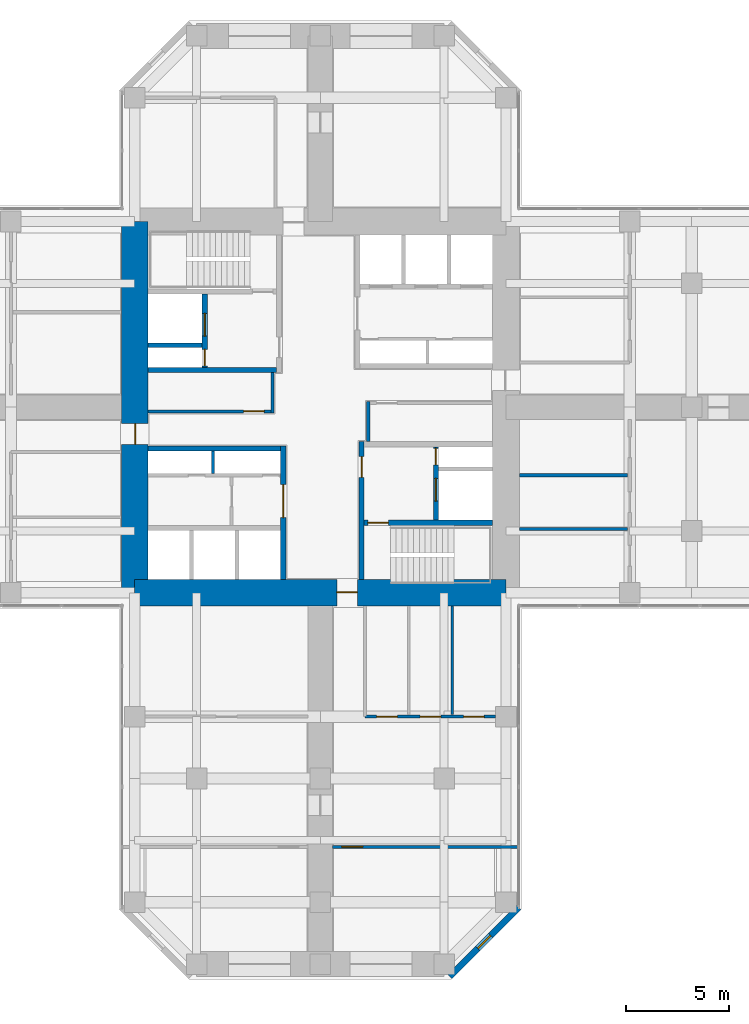
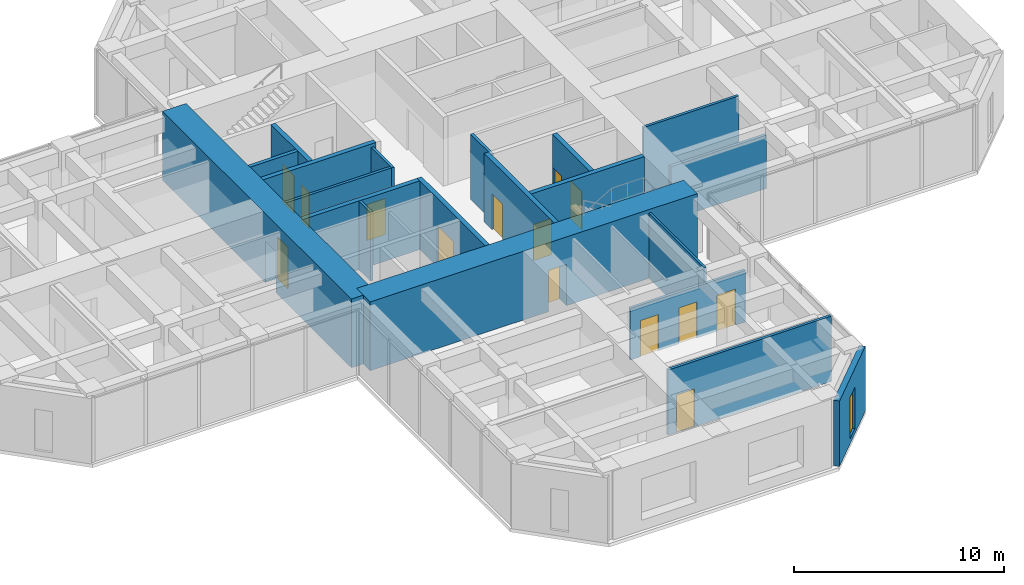
# One storey, part 9 of 13: 20 walls, 14 doors, 1 window, 15 openings.
"""IFC4 building model written with IfcOpenShell, lengths in metres."""

from ifc_helpers import new_model, si_unit, direction, frame, frame_2d, origin, place, context, subcontext, project, spatial, rectangle, hollow_rectangle, extrude, material, layer, layer_set, constituent, constituent_set, type_object, element, fill, save


model = new_model("IFC4")

# Units and contexts
model_context = context("Model", 3, precision=1e-05, world=origin(), true_north=direction((0.0, 1.0)))
body_context = subcontext(model_context, "Body", "Model", "MODEL_VIEW")
ifc_project = project(units=[si_unit("LENGTHUNIT", "METRE"), si_unit("AREAUNIT", "SQUARE_METRE"), si_unit("VOLUMEUNIT", "CUBIC_METRE"), si_unit("PLANEANGLEUNIT", "RADIAN"), si_unit("MASSUNIT", "GRAM", prefix="KILO")], contexts=[model_context])

# Site, building, storey
site_placement = place(None, origin())
site = spatial("IfcSite", under=ifc_project, at=site_placement, CompositionType="ELEMENT")
building_placement = place(site_placement, origin())
building = spatial("IfcBuilding", under=site, at=building_placement, Name="Torre Cruceta", CompositionType="ELEMENT")
storey_placement = place(building_placement, frame((0.0, 0.0, 128.5)))
storey = spatial("IfcBuildingStorey", under=building, at=storey_placement, Name="L31", CompositionType="ELEMENT", Elevation=128.5)

# Wall
ifc_material_1 = material(Name="Concrete G60 (fck 60 MPa)", Category="concrete")
ifc_layer_1 = layer(ifc_material_1, 0.25)
ifc_layer_set_1 = layer_set([ifc_layer_1], Name="Concrete G60 (fck 60 MPa)")
wall_type_1 = type_object("IfcWallType", Name="CORE INNER WALL 250 G60", PredefinedType="SHEAR", material=ifc_layer_set_1)
wall_1_placement = place(storey_placement, frame((-2.125, 1.800048828125, 0.0), z_axis=(0.0, 0.0, 1.0), x_axis=(-1.0, 0.0, 0.0)))
element("IfcWall", 1, at=wall_1_placement, inside=storey, type_object=wall_type_1, Name="CW4 L31 NW-CV", PredefinedType="SHEAR", context=body_context, shape_type="SweptSolid", body=[
    extrude(rectangle(XDim=6.22509765625, YDim=0.25, at=frame_2d((3.112548828125, 0.0))), origin(), (0.0, 0.0, 1.0), 4.0),
])

# Wall, openings, doors
wall_2_placement = place(storey_placement, frame((-5.60009765625, 1.925048828125, 0.0), z_axis=(0.0, 0.0, 1.0), x_axis=(0.0, 1.0, 0.0)))
wall_2 = element("IfcWall", 2, at=wall_2_placement, inside=storey, type_object=wall_type_1, Name="CW4 L31 NW-FU", PredefinedType="SHEAR", context=body_context, shape_type="SweptSolid", body=[
    extrude(rectangle(XDim=3.550048828125, YDim=0.25, at=frame_2d((1.77490234375, 0.0))), origin(), (0.0, 0.0, 1.0), 4.0),
])
opening_1_placement = place(wall_2_placement, frame((1.52490234375, 0.0, 0.0)))
opening_1 = element("IfcOpeningElement", 3, at=opening_1_placement, cuts=wall_2, Name="Opening LD1", PredefinedType="OPENING", context=body_context, shape_type="SweptSolid", body=[
    extrude(rectangle(XDim=1.10009765625, YDim=2.199951171875, at=frame_2d((0.550048828125, 1.10009765625))), frame((0.0, 0.135009765625, 0.0), z_axis=(0.0, -1.0, 0.0), x_axis=(1.0, 0.0, 0.0)), (0.0, 0.0, 1.0), 0.27001953125),
])
opening_2_placement = place(wall_2_placement, frame((0.074951171875, 0.0, 0.0)))
opening_2 = element("IfcOpeningElement", 4, at=opening_2_placement, cuts=wall_2, Name="Opening D5", PredefinedType="OPENING", context=body_context, shape_type="SweptSolid", body=[
    extrude(rectangle(XDim=0.800048828125, YDim=2.10009765625, at=frame_2d((0.39990234375, 1.050048828125))), frame((0.0, 0.135009765625, 0.0), z_axis=(0.0, -1.0, 0.0), x_axis=(1.0, 0.0, 0.0)), (0.0, 0.0, 1.0), 0.27001953125),
])
ifc_material_2 = material(Name="Stainless steel 1.4401", Category="steel")
door_type_1 = type_object("IfcDoorType", Name="LIFT LANDING DOOR 1100X2200", OperationType="DOUBLE_DOOR_SLIDING", PredefinedType="DOOR", material=ifc_material_2)
door_1_placement = place(opening_1_placement, origin())
door_1 = element("IfcDoor", 5, at=door_1_placement, inside=storey, type_object=door_type_1, Name="Lift landing door FL1", OperationType="DOUBLE_DOOR_SLIDING", OverallHeight=2.199951171875, OverallWidth=1.10009765625, PredefinedType="DOOR", context=body_context, shape_type="SweptSolid", body=[
    extrude(rectangle(XDim=1.10009765625, YDim=2.199951171875, at=frame_2d((0.550048828125, 1.10009765625))), frame((0.0, 0.02490234375, 0.0), z_axis=(0.0, -1.0, 0.0), x_axis=(1.0, 0.0, 0.0)), (0.0, 0.0, 1.0), 0.050048828125),
])
fill(opening_1, door_1)
ifc_material_3 = material(Name="Steel DX51D", Category="steel")
ifc_constituent_1 = constituent(ifc_material_3, Name="Leaf and frame")
ifc_material_4 = material(Name="Polyester powder coating", Category="paint")
ifc_constituent_2 = constituent(ifc_material_4, Name="Finish")
ifc_constituent_set_1 = constituent_set(constituents=[ifc_constituent_1, ifc_constituent_2], Name="Steel fire door")
door_type_2 = type_object("IfcDoorType", Name="RISER ACCESS DOOR 800X2100", OperationType="SINGLE_SWING_LEFT", PredefinedType="DOOR", material=ifc_constituent_set_1)
door_2_placement = place(opening_2_placement, origin())
door_2 = element("IfcDoor", 6, at=door_2_placement, inside=storey, type_object=door_type_2, Name="D5 L31 NW-RISER", OperationType="SINGLE_SWING_LEFT", OverallHeight=2.10009765625, OverallWidth=0.800048828125, PredefinedType="DOOR", context=body_context, shape_type="SweptSolid", body=[
    extrude(rectangle(XDim=0.800048828125, YDim=2.10009765625, at=frame_2d((0.39990234375, 1.050048828125))), frame((0.0, 0.02490234375, 0.0), z_axis=(0.0, -1.0, 0.0), x_axis=(1.0, 0.0, 0.0)), (0.0, 0.0, 1.0), 0.050048828125),
])
fill(opening_2, door_2)

# Wall, opening, door
wall_3_placement = place(storey_placement, frame((-1.800048828125, -1.875, 0.0), z_axis=(0.0, 0.0, 1.0), x_axis=(0.0, -1.0, 0.0)))
wall_3 = element("IfcWall", 7, at=wall_3_placement, inside=storey, type_object=wall_type_1, Name="CW4 L31 SW-CU", PredefinedType="SHEAR", context=body_context, shape_type="SweptSolid", body=[
    extrude(rectangle(XDim=6.47509765625, YDim=0.25, at=frame_2d((3.237548828125, 0.0))), origin(), (0.0, 0.0, 1.0), 4.0),
])
opening_3_placement = place(wall_3_placement, frame((1.875, 0.0, 0.0)))
opening_3 = element("IfcOpeningElement", 8, at=opening_3_placement, cuts=wall_3, Name="Opening D15", PredefinedType="OPENING", context=body_context, shape_type="SweptSolid", body=[
    extrude(rectangle(XDim=1.60009765625, YDim=2.39990234375, at=frame_2d((0.800048828125, 1.199951171875))), frame((0.0, 0.135009765625, 0.0), z_axis=(0.0, -1.0, 0.0), x_axis=(1.0, 0.0, 0.0)), (0.0, 0.0, 1.0), 0.27001953125),
])
ifc_material_5 = material(Name="Steel DX51D", Category="steel")
ifc_constituent_3 = constituent(ifc_material_5, Name="Leaf and frame")
ifc_material_6 = material(Name="Polyester powder coating", Category="paint")
ifc_constituent_4 = constituent(ifc_material_6, Name="Finish")
ifc_constituent_set_2 = constituent_set(constituents=[ifc_constituent_3, ifc_constituent_4], Name="Steel fire door")
door_type_3 = type_object("IfcDoorType", Name="CORE ROOM DOUBLE DOOR 1600X2400", OperationType="DOUBLE_DOOR_SINGLE_SWING", PredefinedType="DOOR", material=ifc_constituent_set_2)
door_3_placement = place(opening_3_placement, frame((1.60009765625, 0.0, 0.0), z_axis=(0.0, 0.0, 1.0), x_axis=(-1.0, 0.0, 0.0)))
door_3 = element("IfcDoor", 9, at=door_3_placement, inside=storey, type_object=door_type_3, Name="D15 L31 SW-LOBBY", OperationType="DOUBLE_DOOR_SINGLE_SWING", OverallHeight=2.39990234375, OverallWidth=1.60009765625, PredefinedType="DOOR", context=body_context, shape_type="SweptSolid", body=[
    extrude(rectangle(XDim=1.60009765625, YDim=2.39990234375, at=frame_2d((0.800048828125, 1.199951171875))), frame((0.0, 0.025146484375, 0.0), z_axis=(0.0, -1.0, 0.0), x_axis=(1.0, 0.0, 0.0)), (0.0, 0.0, 1.0), 0.050048828125),
])
fill(opening_3, door_3)

# Wall
wall_4_placement = place(storey_placement, frame((-1.925048828125, -2.0, 0.0), z_axis=(0.0, 0.0, 1.0), x_axis=(-1.0, 0.0, 0.0)))
element("IfcWall", 10, at=wall_4_placement, inside=storey, type_object=wall_type_1, Name="CW4 L31 SW-CV", PredefinedType="SHEAR", context=body_context, shape_type="SweptSolid", body=[
    extrude(rectangle(XDim=6.425048828125, YDim=0.25, at=frame_2d((3.21240234375, 0.0))), origin(), (0.0, 0.0, 1.0), 4.0),
])

# Wall, opening, door
wall_5_placement = place(storey_placement, frame((2.0, -1.675048828125, 0.0), z_axis=(0.0, 0.0, 1.0), x_axis=(0.0, -1.0, 0.0)))
wall_5 = element("IfcWall", 11, at=wall_5_placement, inside=storey, type_object=wall_type_1, Name="CW4 L31 SE-CU", PredefinedType="SHEAR", context=body_context, shape_type="SweptSolid", body=[
    extrude(rectangle(XDim=6.675048828125, YDim=0.25, at=frame_2d((3.33740234375, 0.0))), origin(), (0.0, 0.0, 1.0), 4.0),
])
opening_4_placement = place(wall_5_placement, frame((0.72509765625, 0.0, 0.0)))
opening_4 = element("IfcOpeningElement", 12, at=opening_4_placement, cuts=wall_5, Name="Opening D3", PredefinedType="OPENING", context=body_context, shape_type="SweptSolid", body=[
    extrude(rectangle(XDim=1.0, YDim=2.10009765625, at=frame_2d((0.5, 1.050048828125))), frame((0.0, 0.135009765625, 0.0), z_axis=(0.0, -1.0, 0.0), x_axis=(1.0, 0.0, 0.0)), (0.0, 0.0, 1.0), 0.27001953125),
])
ifc_material_7 = material(Name="Steel DX51D", Category="steel")
ifc_constituent_5 = constituent(ifc_material_7, Name="Leaf and frame")
ifc_material_8 = material(Name="Polyester powder coating", Category="paint")
ifc_constituent_6 = constituent(ifc_material_8, Name="Finish")
ifc_constituent_set_3 = constituent_set(constituents=[ifc_constituent_5, ifc_constituent_6], Name="Steel fire door")
door_type_4 = type_object("IfcDoorType", Name="FIRE DOOR 1000X2100", OperationType="SINGLE_SWING_LEFT", PredefinedType="DOOR", material=ifc_constituent_set_3)
door_4_placement = place(opening_4_placement, origin())
door_4 = element("IfcDoor", 13, at=door_4_placement, inside=storey, type_object=door_type_4, Name="D3 L31 SE-LOBBY", OperationType="SINGLE_SWING_LEFT", OverallHeight=2.10009765625, OverallWidth=1.0, PredefinedType="DOOR", context=body_context, shape_type="SweptSolid", body=[
    extrude(rectangle(XDim=1.0, YDim=2.10009765625, at=frame_2d((0.5, 1.050048828125))), frame((0.0, 0.02490234375, 0.0), z_axis=(0.0, -1.0, 0.0), x_axis=(1.0, 0.0, 0.0)), (0.0, 0.0, 1.0), 0.050048828125),
])
fill(opening_4, door_4)

wall_6_placement = place(storey_placement, frame((2.125, -5.60009765625, 0.0), z_axis=(0.0, 0.0, 1.0), x_axis=(1.0, 0.0, 0.0)))
wall_6 = element("IfcWall", 14, at=wall_6_placement, inside=storey, type_object=wall_type_1, Name="CW4 L31 SE-SV", PredefinedType="SHEAR", context=body_context, shape_type="SweptSolid", body=[
    extrude(rectangle(XDim=6.22509765625, YDim=0.25, at=frame_2d((3.112548828125, 0.0))), origin(), (0.0, 0.0, 1.0), 4.0),
])
opening_5_placement = place(wall_6_placement, frame((0.175048828125, 0.0, 0.0)))
opening_5 = element("IfcOpeningElement", 15, at=opening_5_placement, cuts=wall_6, Name="Opening D3", PredefinedType="OPENING", context=body_context, shape_type="SweptSolid", body=[
    extrude(rectangle(XDim=1.0, YDim=2.10009765625, at=frame_2d((0.5, 1.050048828125))), frame((0.0, 0.135009765625, 0.0), z_axis=(0.0, -1.0, 0.0), x_axis=(1.0, 0.0, 0.0)), (0.0, 0.0, 1.0), 0.27001953125),
])
door_5_placement = place(opening_5_placement, frame((1.0, 0.0, 0.0), z_axis=(0.0, 0.0, 1.0), x_axis=(-1.0, 0.0, 0.0)))
door_5 = element("IfcDoor", 16, at=door_5_placement, inside=storey, type_object=door_type_4, Name="D3 L31 SE-STAIR", OperationType="SINGLE_SWING_RIGHT", OverallHeight=2.10009765625, OverallWidth=1.0, PredefinedType="DOOR", context=body_context, shape_type="SweptSolid", body=[
    extrude(rectangle(XDim=1.0, YDim=2.10009765625, at=frame_2d((0.5, 1.050048828125))), frame((0.0, 0.025146484375, 0.0), z_axis=(0.0, -1.0, 0.0), x_axis=(1.0, 0.0, 0.0)), (0.0, 0.0, 1.0), 0.050048828125),
])
fill(opening_5, door_5)

# Wall, openings, doors
wall_7_placement = place(storey_placement, frame((5.60009765625, -1.925048828125, 0.0), z_axis=(0.0, 0.0, 1.0), x_axis=(0.0, -1.0, 0.0)))
wall_7 = element("IfcWall", 17, at=wall_7_placement, inside=storey, type_object=wall_type_1, Name="CW4 L31 SE-FU", PredefinedType="SHEAR", context=body_context, shape_type="SweptSolid", body=[
    extrude(rectangle(XDim=3.550048828125, YDim=0.25, at=frame_2d((1.77490234375, 0.0))), origin(), (0.0, 0.0, 1.0), 4.0),
])
opening_6_placement = place(wall_7_placement, frame((1.52490234375, 0.0, 0.0)))
opening_6 = element("IfcOpeningElement", 18, at=opening_6_placement, cuts=wall_7, Name="Opening LD1", PredefinedType="OPENING", context=body_context, shape_type="SweptSolid", body=[
    extrude(rectangle(XDim=1.10009765625, YDim=2.199951171875, at=frame_2d((0.550048828125, 1.10009765625))), frame((0.0, 0.135009765625, 0.0), z_axis=(0.0, -1.0, 0.0), x_axis=(1.0, 0.0, 0.0)), (0.0, 0.0, 1.0), 0.27001953125),
])
opening_7_placement = place(wall_7_placement, frame((0.074951171875, 0.0, 0.0)))
opening_7 = element("IfcOpeningElement", 19, at=opening_7_placement, cuts=wall_7, Name="Opening D5", PredefinedType="OPENING", context=body_context, shape_type="SweptSolid", body=[
    extrude(rectangle(XDim=0.800048828125, YDim=2.10009765625, at=frame_2d((0.39990234375, 1.050048828125))), frame((0.0, 0.135009765625, 0.0), z_axis=(0.0, -1.0, 0.0), x_axis=(1.0, 0.0, 0.0)), (0.0, 0.0, 1.0), 0.27001953125),
])
door_6_placement = place(opening_6_placement, origin())
door_6 = element("IfcDoor", 20, at=door_6_placement, inside=storey, type_object=door_type_1, Name="Lift landing door FL2", OperationType="DOUBLE_DOOR_SLIDING", OverallHeight=2.199951171875, OverallWidth=1.10009765625, PredefinedType="DOOR", context=body_context, shape_type="SweptSolid", body=[
    extrude(rectangle(XDim=1.10009765625, YDim=2.199951171875, at=frame_2d((0.550048828125, 1.10009765625))), frame((0.0, 0.02490234375, 0.0), z_axis=(0.0, -1.0, 0.0), x_axis=(1.0, 0.0, 0.0)), (0.0, 0.0, 1.0), 0.050048828125),
])
fill(opening_6, door_6)
door_7_placement = place(opening_7_placement, origin())
door_7 = element("IfcDoor", 21, at=door_7_placement, inside=storey, type_object=door_type_2, Name="D5 L31 SE-RISER", OperationType="SINGLE_SWING_LEFT", OverallHeight=2.10009765625, OverallWidth=0.800048828125, PredefinedType="DOOR", context=body_context, shape_type="SweptSolid", body=[
    extrude(rectangle(XDim=0.800048828125, YDim=2.10009765625, at=frame_2d((0.39990234375, 1.050048828125))), frame((0.0, 0.02490234375, 0.0), z_axis=(0.0, -1.0, 0.0), x_axis=(1.0, 0.0, 0.0)), (0.0, 0.0, 1.0), 0.050048828125),
])
fill(opening_7, door_7)

# Wall, opening, door
ifc_material_9 = material(Name="Concrete G60 (fck 60 MPa)", Category="concrete")
ifc_layer_2 = layer(ifc_material_9, 1.300048828125)
ifc_layer_set_2 = layer_set([ifc_layer_2], Name="Concrete G60 (fck 60 MPa)")
wall_type_2 = type_object("IfcWallType", Name="CORE WALL 1300 G60", PredefinedType="SHEAR", material=ifc_layer_set_2)
wall_8_placement = place(storey_placement, frame((-9.0, -9.0, 0.0), z_axis=(0.0, 0.0, 1.0), x_axis=(1.0, 0.0, 0.0)))
wall_8 = element("IfcWall", 22, at=wall_8_placement, inside=storey, type_object=wall_type_2, Name="CW1 L31 CW-S", PredefinedType="SHEAR", context=body_context, shape_type="SweptSolid", body=[
    extrude(rectangle(XDim=18.0, YDim=1.300048828125, at=frame_2d((9.0, 0.0))), origin(), (0.0, 0.0, 1.0), 4.0),
])
opening_8_placement = place(wall_8_placement, frame((9.800048828125, 0.0, 0.0)))
opening_8 = element("IfcOpeningElement", 23, at=opening_8_placement, cuts=wall_8, Name="Opening D4", PredefinedType="OPENING", context=body_context, shape_type="SweptSolid", body=[
    extrude(rectangle(XDim=1.0, YDim=2.39990234375, at=frame_2d((0.5, 1.199951171875))), frame((0.0, 0.659912109375, 0.0), z_axis=(0.0, -1.0, 0.0), x_axis=(1.0, 0.0, 0.0)), (0.0, 0.0, 1.0), 1.320068359375),
])
ifc_material_10 = material(Name="Steel DX51D", Category="steel")
ifc_constituent_7 = constituent(ifc_material_10, Name="Leaf and frame")
ifc_material_11 = material(Name="Polyester powder coating", Category="paint")
ifc_constituent_8 = constituent(ifc_material_11, Name="Finish")
ifc_constituent_set_4 = constituent_set(constituents=[ifc_constituent_7, ifc_constituent_8], Name="Steel fire door")
door_type_5 = type_object("IfcDoorType", Name="CORE ARM DOOR 1000X2400", OperationType="SINGLE_SWING_RIGHT", PredefinedType="DOOR", material=ifc_constituent_set_4)
door_8_placement = place(opening_8_placement, frame((1.0, 0.0, 0.0), z_axis=(0.0, 0.0, 1.0), x_axis=(-1.0, 0.0, 0.0)))
door_8 = element("IfcDoor", 24, at=door_8_placement, inside=storey, type_object=door_type_5, Name="D4 L31 CW-S", OperationType="SINGLE_SWING_RIGHT", OverallHeight=2.39990234375, OverallWidth=1.0, PredefinedType="DOOR", context=body_context, shape_type="SweptSolid", body=[
    extrude(rectangle(XDim=1.0, YDim=2.39990234375, at=frame_2d((0.5, 1.199951171875))), frame((0.0, -0.005126953125, 0.0), z_axis=(0.0, -1.0, 0.0), x_axis=(1.0, 0.0, 0.0)), (0.0, 0.0, 1.0), 0.050048828125),
])
fill(opening_8, door_8)

wall_9_placement = place(storey_placement, frame((-9.0, 9.0, 0.0), z_axis=(0.0, 0.0, 1.0), x_axis=(0.0, -1.0, 0.0)))
wall_9 = element("IfcWall", 25, at=wall_9_placement, inside=storey, type_object=wall_type_2, Name="CW1 L31 CW-W", PredefinedType="SHEAR", context=body_context, shape_type="SweptSolid", body=[
    extrude(rectangle(XDim=18.0, YDim=1.300048828125, at=frame_2d((9.0, 0.0))), origin(), (0.0, 0.0, 1.0), 4.0),
])
opening_9_placement = place(wall_9_placement, frame((9.800048828125, 0.0, 0.0)))
opening_9 = element("IfcOpeningElement", 26, at=opening_9_placement, cuts=wall_9, Name="Opening D4", PredefinedType="OPENING", context=body_context, shape_type="SweptSolid", body=[
    extrude(rectangle(XDim=1.0, YDim=2.39990234375, at=frame_2d((0.5, 1.199951171875))), frame((0.0, 0.659912109375, 0.0), z_axis=(0.0, -1.0, 0.0), x_axis=(1.0, 0.0, 0.0)), (0.0, 0.0, 1.0), 1.320068359375),
])
door_9_placement = place(opening_9_placement, frame((1.0, 0.0, 0.0), z_axis=(0.0, 0.0, 1.0), x_axis=(-1.0, 0.0, 0.0)))
door_9 = element("IfcDoor", 27, at=door_9_placement, inside=storey, type_object=door_type_5, Name="D4 L31 CW-W", OperationType="SINGLE_SWING_RIGHT", OverallHeight=2.39990234375, OverallWidth=1.0, PredefinedType="DOOR", context=body_context, shape_type="SweptSolid", body=[
    extrude(rectangle(XDim=1.0, YDim=2.39990234375, at=frame_2d((0.5, 1.199951171875))), frame((0.0, -0.005126953125, 0.0), z_axis=(0.0, -1.0, 0.0), x_axis=(1.0, 0.0, 0.0)), (0.0, 0.0, 1.0), 0.050048828125),
])
fill(opening_9, door_9)

# Wall, opening, window
ifc_material_12 = material(Name="Concrete G30 (fck 30 MPa)", Category="concrete")
ifc_layer_3 = layer(ifc_material_12, 0.300048828125)
ifc_layer_set_3 = layer_set([ifc_layer_3], Name="Concrete G30 (fck 30 MPa)")
wall_type_3 = type_object("IfcWallType", Name="EXPOSED CONCRETE FACADE WALL 300", PredefinedType="SOLIDWALL", material=ifc_layer_set_3)
wall_10_placement = place(storey_placement, frame((6.27685546875, -27.60009765625, 0.0), z_axis=(0.0, 0.0, 1.0), x_axis=(0.707106781187, 0.707106781187, 0.0)))
wall_10 = element("IfcWall", 28, at=wall_10_placement, inside=storey, type_object=wall_type_3, Name="EW1 facade wall L31 S chamfer 18", PredefinedType="SOLIDWALL", context=body_context, shape_type="SweptSolid", body=[
    extrude(rectangle(XDim=4.72802734375, YDim=0.300048828125, at=frame_2d((2.364013671875, 0.0))), origin(), (0.0, 0.0, 1.0), 3.800048828125),
])
opening_10_placement = place(wall_10_placement, frame((1.9140625, 0.0, 0.300048828125)))
opening_10 = element("IfcOpeningElement", 29, at=opening_10_placement, cuts=wall_10, Name="Opening WN5", PredefinedType="OPENING", context=body_context, shape_type="SweptSolid", body=[
    extrude(rectangle(XDim=0.89990234375, YDim=2.39990234375, at=frame_2d((0.449951171875, 1.199951171875))), frame((0.0, 0.159912109375, 0.0), z_axis=(0.0, -1.0, 0.0), x_axis=(1.0, 0.0, 0.0)), (0.0, 0.0, 1.0), 0.320068359375),
])
ifc_material_13 = material(Name="Aluminium window frame", Category="aluminium")
ifc_constituent_9 = constituent(ifc_material_13, Name="Frame")
ifc_material_14 = material(Name="Laminated insulating glass unit, low-iron clear", Category="glass")
ifc_constituent_10 = constituent(ifc_material_14, Name="Glazing")
ifc_constituent_set_5 = constituent_set(constituents=[ifc_constituent_9, ifc_constituent_10], Name="Aluminium window")
window_type = type_object("IfcWindowType", Name="CHAMFER SLOT WINDOW 900X2400", PartitioningType="SINGLE_PANEL", PredefinedType="WINDOW", material=ifc_constituent_set_5)
window_placement = place(opening_10_placement, origin())
window = element("IfcWindow", 30, at=window_placement, inside=storey, type_object=window_type, Name="WN5 L31 S 1", OverallHeight=2.39990234375, OverallWidth=0.89990234375, PartitioningType="SINGLE_PANEL", PredefinedType="WINDOW", context=body_context, shape_type="SweptSolid", body=[
    extrude(hollow_rectangle(XDim=0.89990234375, YDim=2.39990234375, WallThickness=0.06005859375, at=frame_2d((0.449951171875, 1.199951171875))), frame((0.0, 0.030029296875, 0.0), z_axis=(0.0, -1.0, 0.0), x_axis=(1.0, 0.0, 0.0)), (0.0, 0.0, 1.0), 0.06005859375),
    extrude(rectangle(XDim=0.77880859375, YDim=2.27880859375, at=frame_2d((0.449951171875, 1.199951171875))), frame((0.0, 0.030029296875, 0.0), z_axis=(0.0, -1.0, 0.0), x_axis=(1.0, 0.0, 0.0)), (0.0, 0.0, 1.0), 0.06005859375),
])
fill(opening_10, window)

# Walls
ifc_material_15 = material(Name="Concrete G35 (fck 35 MPa)", Category="concrete")
ifc_layer_4 = layer(ifc_material_15, 0.199951171875)
ifc_layer_set_4 = layer_set([ifc_layer_4], Name="Concrete G35 (fck 35 MPa)")
wall_type_4 = type_object("IfcWallType", Name="LIFT SHAFT WALL 200", PredefinedType="PARTITIONING", material=ifc_layer_set_4)
wall_11_placement = place(storey_placement, frame((-5.72509765625, 3.0, 0.0), z_axis=(0.0, 0.0, 1.0), x_axis=(-1.0, 0.0, 0.0)))
element("IfcWall", 31, at=wall_11_placement, inside=storey, type_object=wall_type_4, Name="SW1 L31 NW-FR", PredefinedType="PARTITIONING", context=body_context, shape_type="SweptSolid", body=[
    extrude(rectangle(XDim=2.625, YDim=0.199951171875, at=frame_2d((1.3125, 0.0))), origin(), (0.0, 0.0, 1.0), 4.0),
])
ifc_material_16 = material(Name="Plasterboard on steel studs", Category="steel")
ifc_layer_5 = layer(ifc_material_16, 0.14990234375)
ifc_layer_set_5 = layer_set([ifc_layer_5], Name="Plasterboard on steel studs")
wall_type_5 = type_object("IfcWallType", Name="PARTITION 150", PredefinedType="PARTITIONING", material=ifc_layer_set_5)
wall_12_placement = place(storey_placement, frame((2.324951171875, -1.675048828125, 0.0), z_axis=(0.0, 0.0, 1.0), x_axis=(0.0, 1.0, 0.0)))
element("IfcWall", 32, at=wall_12_placement, inside=storey, type_object=wall_type_5, Name="PT1 L31-CORE-LEGE-S-W2", PredefinedType="PARTITIONING", context=body_context, shape_type="SweptSolid", body=[
    extrude(rectangle(XDim=1.949951171875, YDim=0.14990234375, at=frame_2d((0.97509765625, 0.0))), origin(), (0.0, 0.0, 1.0), 3.800048828125),
])

# Wall, opening, door
wall_13_placement = place(storey_placement, frame((-2.324951171875, -0.199951171875, 0.0), z_axis=(0.0, 0.0, 1.0), x_axis=(-1.0, 0.0, 0.0)))
wall_13 = element("IfcWall", 33, at=wall_13_placement, inside=storey, type_object=wall_type_5, Name="PT1 L31-CORE-LEGW-N-W1", PredefinedType="PARTITIONING", context=body_context, shape_type="SweptSolid", body=[
    extrude(rectangle(XDim=6.025146484375, YDim=0.14990234375, at=frame_2d((3.0126953125, 0.0))), origin(), (0.0, 0.0, 1.0), 3.800048828125),
])
opening_11_placement = place(wall_13_placement, frame((0.39990234375, 0.0, 0.0)))
opening_11 = element("IfcOpeningElement", 34, at=opening_11_placement, cuts=wall_13, Name="Opening D3", PredefinedType="OPENING", context=body_context, shape_type="SweptSolid", body=[
    extrude(rectangle(XDim=1.0, YDim=2.10009765625, at=frame_2d((0.5, 1.050048828125))), frame((0.0, 0.0849609375, 0.0), z_axis=(0.0, -1.0, 0.0), x_axis=(1.0, 0.0, 0.0)), (0.0, 0.0, 1.0), 0.169921875),
])
door_10_placement = place(opening_11_placement, frame((1.0, 0.0, 0.0), z_axis=(0.0, 0.0, 1.0), x_axis=(-1.0, 0.0, 0.0)))
door_10 = element("IfcDoor", 35, at=door_10_placement, inside=storey, type_object=door_type_4, Name="D3 L31-CORE-LEGW-N-W1-D1", OperationType="SINGLE_SWING_RIGHT", OverallHeight=2.10009765625, OverallWidth=1.0, PredefinedType="DOOR", context=body_context, shape_type="SweptSolid", body=[
    extrude(rectangle(XDim=1.0, YDim=2.10009765625, at=frame_2d((0.5, 1.050048828125))), frame((0.0, 0.025146484375, 0.0), z_axis=(0.0, -1.0, 0.0), x_axis=(1.0, 0.0, 0.0)), (0.0, 0.0, 1.0), 0.050048828125),
])
fill(opening_11, door_10)

# Walls
wall_14_placement = place(storey_placement, frame((-2.324951171875, 1.675048828125, 0.0), z_axis=(0.0, 0.0, 1.0), x_axis=(0.0, -1.0, 0.0)))
element("IfcWall", 36, at=wall_14_placement, inside=storey, type_object=wall_type_5, Name="PT1 L31-CORE-LEGW-N-W2", PredefinedType="PARTITIONING", context=body_context, shape_type="SweptSolid", body=[
    extrude(rectangle(XDim=1.949951171875, YDim=0.14990234375, at=frame_2d((0.97509765625, 0.0))), origin(), (0.0, 0.0, 1.0), 3.800048828125),
])
wall_15_placement = place(storey_placement, frame((9.64990234375, -3.300048828125, 0.0), z_axis=(0.0, 0.0, 1.0), x_axis=(1.0, 0.0, 0.0)))
element("IfcWall", 37, at=wall_15_placement, inside=storey, type_object=wall_type_5, Name="PT1 L31-E-BDR1", PredefinedType="PARTITIONING", context=body_context, shape_type="SweptSolid", body=[
    extrude(rectangle(XDim=5.25, YDim=0.14990234375, at=frame_2d((2.625, 0.0))), origin(), (0.0, 0.0, 1.0), 3.800048828125),
])
wall_16_placement = place(storey_placement, frame((9.64990234375, -5.89990234375, 0.0), z_axis=(0.0, 0.0, 1.0), x_axis=(1.0, 0.0, 0.0)))
element("IfcWall", 38, at=wall_16_placement, inside=storey, type_object=wall_type_5, Name="PT1 L31-E-BDR2", PredefinedType="PARTITIONING", context=body_context, shape_type="SweptSolid", body=[
    extrude(rectangle(XDim=5.25, YDim=0.14990234375, at=frame_2d((2.625, 0.0))), origin(), (0.0, 0.0, 1.0), 3.10009765625),
])

# Wall, openings, doors
wall_17_placement = place(storey_placement, frame((2.175048828125, -15.0, 0.0), z_axis=(0.0, 0.0, 1.0), x_axis=(1.0, 0.0, 0.0)))
wall_17 = element("IfcWall", 39, at=wall_17_placement, inside=storey, type_object=wall_type_5, Name="PT1 L31-S-BFL", PredefinedType="PARTITIONING", context=body_context, shape_type="SweptSolid", body=[
    extrude(rectangle(XDim=6.324951171875, YDim=0.14990234375, at=frame_2d((3.16259765625, 0.0))), origin(), (0.0, 0.0, 1.0), 3.0),
])
opening_12_placement = place(wall_17_placement, frame((0.55419921875, 0.0, 0.0)))
opening_12 = element("IfcOpeningElement", 40, at=opening_12_placement, cuts=wall_17, Name="Opening D3", PredefinedType="OPENING", context=body_context, shape_type="SweptSolid", body=[
    extrude(rectangle(XDim=1.0, YDim=2.10009765625, at=frame_2d((0.5, 1.050048828125))), frame((0.0, 0.0849609375, 0.0), z_axis=(0.0, -1.0, 0.0), x_axis=(1.0, 0.0, 0.0)), (0.0, 0.0, 1.0), 0.169921875),
])
opening_13_placement = place(wall_17_placement, frame((2.66259765625, 0.0, 0.0)))
opening_13 = element("IfcOpeningElement", 41, at=opening_13_placement, cuts=wall_17, Name="Opening D3", PredefinedType="OPENING", context=body_context, shape_type="SweptSolid", body=[
    extrude(rectangle(XDim=1.0, YDim=2.10009765625, at=frame_2d((0.5, 1.050048828125))), frame((0.0, 0.0849609375, 0.0), z_axis=(0.0, -1.0, 0.0), x_axis=(1.0, 0.0, 0.0)), (0.0, 0.0, 1.0), 0.169921875),
])
opening_14_placement = place(wall_17_placement, frame((4.770751953125, 0.0, 0.0)))
opening_14 = element("IfcOpeningElement", 42, at=opening_14_placement, cuts=wall_17, Name="Opening D3", PredefinedType="OPENING", context=body_context, shape_type="SweptSolid", body=[
    extrude(rectangle(XDim=1.0, YDim=2.10009765625, at=frame_2d((0.5, 1.050048828125))), frame((0.0, 0.0849609375, 0.0), z_axis=(0.0, -1.0, 0.0), x_axis=(1.0, 0.0, 0.0)), (0.0, 0.0, 1.0), 0.169921875),
])
door_11_placement = place(opening_12_placement, origin())
door_11 = element("IfcDoor", 43, at=door_11_placement, inside=storey, type_object=door_type_4, Name="D3 L31-S-BFL-D1", OperationType="SINGLE_SWING_LEFT", OverallHeight=2.10009765625, OverallWidth=1.0, PredefinedType="DOOR", context=body_context, shape_type="SweptSolid", body=[
    extrude(rectangle(XDim=1.0, YDim=2.10009765625, at=frame_2d((0.5, 1.050048828125))), frame((0.0, 0.02490234375, 0.0), z_axis=(0.0, -1.0, 0.0), x_axis=(1.0, 0.0, 0.0)), (0.0, 0.0, 1.0), 0.050048828125),
])
fill(opening_12, door_11)
door_12_placement = place(opening_13_placement, origin())
door_12 = element("IfcDoor", 44, at=door_12_placement, inside=storey, type_object=door_type_4, Name="D3 L31-S-BFL-D2", OperationType="SINGLE_SWING_LEFT", OverallHeight=2.10009765625, OverallWidth=1.0, PredefinedType="DOOR", context=body_context, shape_type="SweptSolid", body=[
    extrude(rectangle(XDim=1.0, YDim=2.10009765625, at=frame_2d((0.5, 1.050048828125))), frame((0.0, 0.02490234375, 0.0), z_axis=(0.0, -1.0, 0.0), x_axis=(1.0, 0.0, 0.0)), (0.0, 0.0, 1.0), 0.050048828125),
])
fill(opening_13, door_12)
door_13_placement = place(opening_14_placement, origin())
door_13 = element("IfcDoor", 45, at=door_13_placement, inside=storey, type_object=door_type_4, Name="D3 L31-S-BFL-D3", OperationType="SINGLE_SWING_LEFT", OverallHeight=2.10009765625, OverallWidth=1.0, PredefinedType="DOOR", context=body_context, shape_type="SweptSolid", body=[
    extrude(rectangle(XDim=1.0, YDim=2.10009765625, at=frame_2d((0.5, 1.050048828125))), frame((0.0, 0.02490234375, 0.0), z_axis=(0.0, -1.0, 0.0), x_axis=(1.0, 0.0, 0.0)), (0.0, 0.0, 1.0), 0.050048828125),
])
fill(opening_14, door_13)

# Wall, opening, door
wall_18_placement = place(storey_placement, frame((0.60009765625, -21.320068359375, 0.0), z_axis=(0.0, 0.0, 1.0), x_axis=(1.0, 0.0, 0.0)))
wall_18 = element("IfcWall", 46, at=wall_18_placement, inside=storey, type_object=wall_type_5, Name="PT1 L31-S-TWL", PredefinedType="PARTITIONING", context=body_context, shape_type="SweptSolid", body=[
    extrude(rectangle(XDim=8.97998046875, YDim=0.14990234375, at=frame_2d((4.489990234375, 0.0))), origin(), (0.0, 0.0, 1.0), 3.800048828125),
])
opening_15_placement = place(wall_18_placement, frame((0.449951171875, 0.0, 0.0)))
opening_15 = element("IfcOpeningElement", 47, at=opening_15_placement, cuts=wall_18, Name="Opening D14", PredefinedType="OPENING", context=body_context, shape_type="SweptSolid", body=[
    extrude(rectangle(XDim=1.0, YDim=2.199951171875, at=frame_2d((0.5, 1.10009765625))), frame((0.0, 0.0849609375, 0.0), z_axis=(0.0, -1.0, 0.0), x_axis=(1.0, 0.0, 0.0)), (0.0, 0.0, 1.0), 0.169921875),
])
ifc_material_17 = material(Name="Steel DX51D", Category="steel")
ifc_constituent_11 = constituent(ifc_material_17, Name="Leaf and frame")
ifc_material_18 = material(Name="Polyester powder coating", Category="paint")
ifc_constituent_12 = constituent(ifc_material_18, Name="Finish")
ifc_material_19 = material(Name="Fire-resisting glass", Category="glass")
ifc_constituent_13 = constituent(ifc_material_19, Name="Vision panel")
ifc_constituent_set_6 = constituent_set(constituents=[ifc_constituent_11, ifc_constituent_12, ifc_constituent_13], Name="Steel fire door with vision panel")
door_type_6 = type_object("IfcDoorType", Name="FIRE DOOR VISION PANEL 1000X2200", OperationType="SINGLE_SWING_RIGHT", PredefinedType="DOOR", material=ifc_constituent_set_6)
door_14_placement = place(opening_15_placement, frame((1.0, 0.0, 0.0), z_axis=(0.0, 0.0, 1.0), x_axis=(-1.0, 0.0, 0.0)))
door_14 = element("IfcDoor", 48, at=door_14_placement, inside=storey, type_object=door_type_6, Name="D14 L31-S-TWL-D1", OperationType="SINGLE_SWING_RIGHT", OverallHeight=2.199951171875, OverallWidth=1.0, PredefinedType="DOOR", context=body_context, shape_type="SweptSolid", body=[
    extrude(rectangle(XDim=1.0, YDim=2.199951171875, at=frame_2d((0.5, 1.10009765625))), frame((0.0, 0.025146484375, 0.0), z_axis=(0.0, -1.0, 0.0), x_axis=(1.0, 0.0, 0.0)), (0.0, 0.0, 1.0), 0.050048828125),
])
fill(opening_15, door_14)

# Walls
ifc_material_20 = material(Name="Concrete block masonry", Category="masonry")
ifc_layer_6 = layer(ifc_material_20, 0.14990234375)
ifc_layer_set_6 = layer_set([ifc_layer_6], Name="Concrete block masonry")
wall_type_6 = type_object("IfcWallType", Name="RISER WALL 150", PredefinedType="PARTITIONING", material=ifc_layer_set_6)
wall_19_placement = place(storey_placement, frame((-5.199951171875, -2.125, 0.0), z_axis=(0.0, 0.0, 1.0), x_axis=(0.0, -1.0, 0.0)))
element("IfcWall", 49, at=wall_19_placement, inside=storey, type_object=wall_type_6, Name="SW7 L31 SW-RU", PredefinedType="PARTITIONING", context=body_context, shape_type="SweptSolid", body=[
    extrude(rectangle(XDim=1.10009765625, YDim=0.14990234375, at=frame_2d((0.550048828125, 0.0))), origin(), (0.0, 0.0, 1.0), 4.0),
])
ifc_material_21 = material(Name="Plasterboard on steel studs", Category="steel")
ifc_layer_7 = layer(ifc_material_21, 0.1201171875)
ifc_layer_set_7 = layer_set([ifc_layer_7], Name="Plasterboard on steel studs")
wall_type_7 = type_object("IfcWallType", Name="WC PARTITION 120", PredefinedType="PLUMBINGWALL", material=ifc_layer_set_7)
wall_20_placement = place(storey_placement, frame((6.3916015625, -9.64990234375, 0.0), z_axis=(0.0, 0.0, 1.0), x_axis=(0.0, -1.0, 0.0)))
element("IfcWall", 50, at=wall_20_placement, inside=storey, type_object=wall_type_7, Name="PT5 L31-S-BDL2", PredefinedType="PLUMBINGWALL", context=body_context, shape_type="SweptSolid", body=[
    extrude(rectangle(XDim=5.25, YDim=0.1201171875, at=frame_2d((2.625, 0.0))), origin(), (0.0, 0.0, 1.0), 3.800048828125),
])

save(model, "model.ifc")
